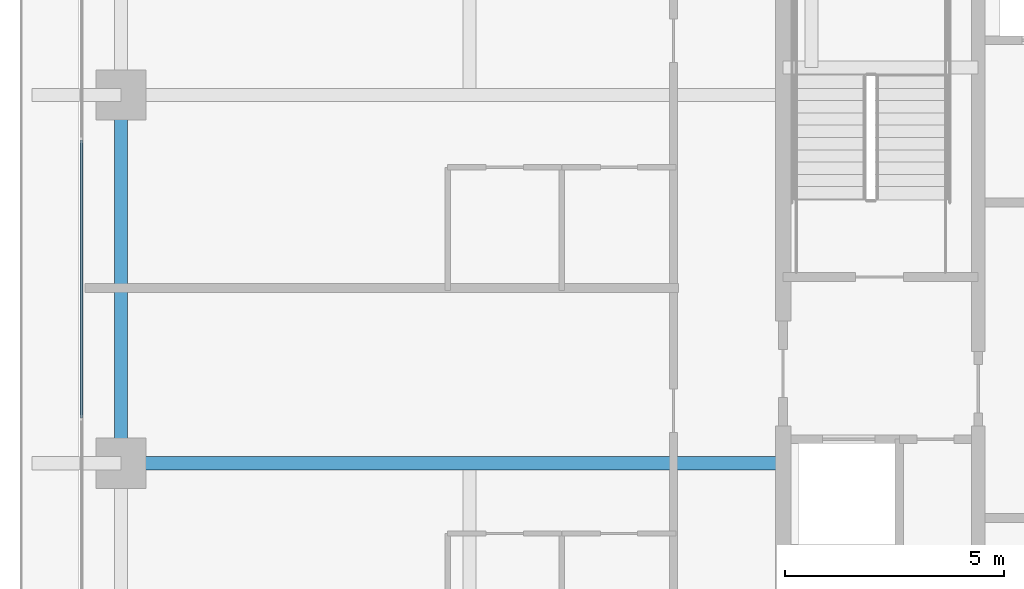
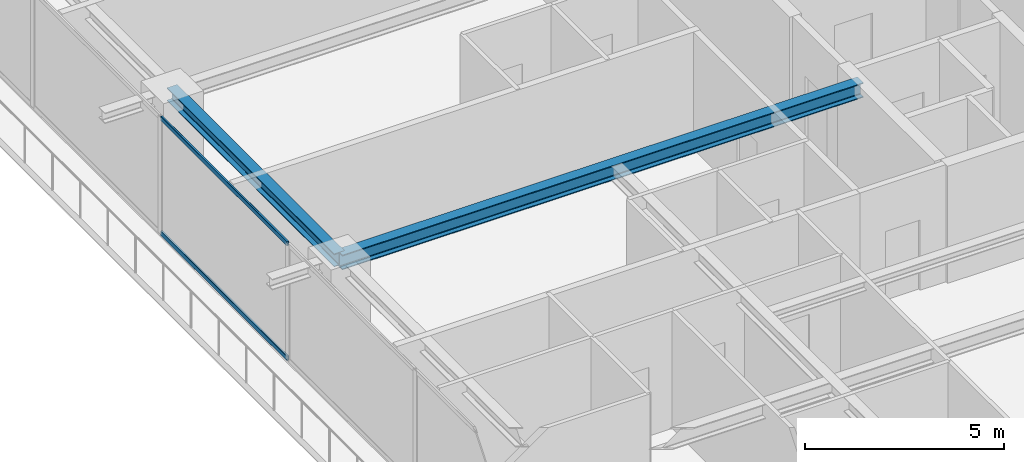
# One storey, part 8 of 37: 2 beams, 2 members, 1 element without a shape of its own.
"""IFC4 building model written with IfcOpenShell, lengths in metres."""

import ifcopenshell
import ifcopenshell.guid

model = None  # the IFC model being written
_history = None  # IfcOwnerHistory: only IFC2X3 demands one
_inside = {}  # id of a spatial element -> (the spatial element, [elements in it])
_under = {}  # id of a project, library or spatial element -> (it, [spatial elements below it])
_declared = {}  # id of a project -> (the project, [libraries it declares])
_typed = {}  # id of a type object -> (the type object, [elements of that type])
_made_of = {}  # id of a material, layer set ... -> (it, [elements and type objects made of it])


def new_model(schema):
    """Start an empty IFC model of exactly this schema.

    Asked for "IFC4X3", IfcOpenShell would pick the latest addendum, in which some entities
    have other attributes; the version numbers below select the first issue.
    IFC2X3 requires an IfcOwnerHistory on every rooted entity: one is made here for all.
    """
    global model, _history
    if schema == "IFC4X3":
        model = ifcopenshell.file(schema_version=(4, 3, 0, 0))
    else:
        model = ifcopenshell.file(schema=schema)
    _inside.clear()
    _under.clear()
    _declared.clear()
    _typed.clear()
    _made_of.clear()
    _history = None
    if model.schema == "IFC2X3":
        org = make("IfcOrganization", Name="unknown")
        user = make(
            "IfcPersonAndOrganization",
            ThePerson=make("IfcPerson", FamilyName="unknown"),
            TheOrganization=org,
        )
        app = make(
            "IfcApplication",
            ApplicationDeveloper=org,
            Version="unknown",
            ApplicationFullName="unknown",
            ApplicationIdentifier="unknown",
        )
        _history = make(
            "IfcOwnerHistory",
            OwningUser=user,
            OwningApplication=app,
            ChangeAction="ADDED",
            CreationDate=0,
        )
    return model


def make(cls, **values):
    """One entity of the class cls with the attributes given. An attribute that is None is left unset."""
    return model.create_entity(
        cls, **{name: value for name, value in values.items() if value is not None}
    )


def rooted(cls, **values):
    """An entity with a GlobalId (a new one), such as an element, a storey or a relation."""
    return make(cls, GlobalId=ifcopenshell.guid.new(), OwnerHistory=_history, **values)


def si_unit(unit_type, name, prefix=None):
    """IfcSIUnit, for example si_unit("LENGTHUNIT", "METRE", prefix="MILLI")."""
    return make("IfcSIUnit", UnitType=unit_type, Prefix=prefix, Name=name)


def assignment(units):
    """IfcUnitAssignment: the units of a project."""
    return None if units is None else make("IfcUnitAssignment", Units=units)


def point(xyz):
    """IfcCartesianPoint."""
    return None if xyz is None else make("IfcCartesianPoint", Coordinates=xyz)


def direction(xyz):
    """IfcDirection."""
    return None if xyz is None else make("IfcDirection", DirectionRatios=xyz)


def frame(location, z_axis=None, x_axis=None):
    """IfcAxis2Placement3D, a coordinate frame: its origin and axes. An axis left out is left unset."""
    return make(
        "IfcAxis2Placement3D",
        Location=point(location),
        Axis=direction(z_axis),
        RefDirection=direction(x_axis),
    )


def frame_2d(location, x_axis=None):
    """IfcAxis2Placement2D, a coordinate frame in the plane: its origin and x axis."""
    return make(
        "IfcAxis2Placement2D", Location=point(location), RefDirection=direction(x_axis)
    )


def origin():
    """The frame at (0, 0, 0) with its axes left unset."""
    return frame((0.0, 0.0, 0.0))


def origin_2d():
    """The frame at (0, 0) in the plane with its x axis left unset."""
    return frame_2d((0.0, 0.0))


def place(relative_to, where):
    """IfcLocalPlacement: puts the frame where relative to a parent placement (None: the world)."""
    return make(
        "IfcLocalPlacement", PlacementRelTo=relative_to, RelativePlacement=where
    )


def context(
    kind, dimensions, precision=None, world=None, true_north=None, identifier=None
):
    """IfcGeometricRepresentationContext, for example the 3D "Model" context."""
    return make(
        "IfcGeometricRepresentationContext",
        ContextIdentifier=identifier,
        ContextType=kind,
        CoordinateSpaceDimension=dimensions,
        Precision=precision,
        WorldCoordinateSystem=world,
        TrueNorth=true_north,
    )


def subcontext(parent, identifier, kind, view, scale=None):
    """IfcGeometricRepresentationSubContext, for example "Body" below "Model"."""
    return make(
        "IfcGeometricRepresentationSubContext",
        ContextIdentifier=identifier,
        ContextType=kind,
        ParentContext=parent,
        TargetScale=scale,
        TargetView=view,
    )


def project(units=None, contexts=None):
    """IfcProject with its units and contexts."""
    return rooted(
        "IfcProject",
        Name="project",
        RepresentationContexts=contexts,
        UnitsInContext=assignment(units),
    )


def spatial(cls, under=None, at=None, **own):
    """A site, building, storey or space (cls), placed at a placement, below another one or the project."""
    s = rooted(cls, ObjectPlacement=at, **own)
    if under is not None:
        _under.setdefault(under.id(), (under, []))[1].append(s)
    return s


def profile(cls, at=None, kind="AREA", **sizes):
    """A parametric profile (cls). Its sizes go by their IFC names, for example OverallWidth=200.0."""
    return make(cls, ProfileType=kind, Position=at, **sizes)


def hollow_rectangle(**sizes):
    """IfcRectangleHollowProfileDef."""
    return profile("IfcRectangleHollowProfileDef", **sizes)


def i_section(**sizes):
    """IfcIShapeProfileDef."""
    return profile("IfcIShapeProfileDef", **sizes)


def extrude(swept, where, along, depth):
    """IfcExtrudedAreaSolid: the profile swept, set in the frame where, extruded along a direction by depth."""
    return make(
        "IfcExtrudedAreaSolid",
        SweptArea=swept,
        Position=where,
        ExtrudedDirection=direction(along),
        Depth=depth,
    )


def shape(context_of_items, identifier, shape_type, items):
    """IfcShapeRepresentation: the items that make up one representation, for example the "Body"."""
    return make(
        "IfcShapeRepresentation",
        ContextOfItems=context_of_items,
        RepresentationIdentifier=identifier,
        RepresentationType=shape_type,
        Items=items,
    )


def source(mapping_origin, context_of_items, identifier, shape_type, items):
    """IfcRepresentationMap: a shape defined once, which mapped items show again and again."""
    return make(
        "IfcRepresentationMap",
        MappingOrigin=mapping_origin,
        MappedRepresentation=shape(context_of_items, identifier, shape_type, items),
    )


def transform(
    local_origin,
    x_axis=None,
    y_axis=None,
    z_axis=None,
    scale=None,
    scale2=None,
    scale3=None,
    uniform=True,
):
    """IfcCartesianTransformationOperator3D, or its non-uniform kind. x_axis, y_axis, z_axis: its Axis1, 2, 3."""
    if uniform:
        return make(
            "IfcCartesianTransformationOperator3D",
            Axis1=direction(x_axis),
            Axis2=direction(y_axis),
            LocalOrigin=point(local_origin),
            Scale=scale,
            Axis3=direction(z_axis),
        )
    return make(
        "IfcCartesianTransformationOperator3DnonUniform",
        Axis1=direction(x_axis),
        Axis2=direction(y_axis),
        LocalOrigin=point(local_origin),
        Scale=scale,
        Axis3=direction(z_axis),
        Scale2=scale2,
        Scale3=scale3,
    )


def mapped(mapping_source, mapping_target):
    """IfcMappedItem: shows the shape of a source again, moved by a transform."""
    return make(
        "IfcMappedItem", MappingSource=mapping_source, MappingTarget=mapping_target
    )


def material(Name=None, Category=None):
    """IfcMaterial."""
    return make("IfcMaterial", Name=Name, Category=Category)


def layer(
    of_material, thickness, ventilated=None, Name=None, Category=None, Priority=None
):
    """IfcMaterialLayer: one layer of a wall or slab, of a material (None: an air gap)."""
    return make(
        "IfcMaterialLayer",
        Material=of_material,
        LayerThickness=thickness,
        IsVentilated=ventilated,
        Name=Name,
        Category=Category,
        Priority=Priority,
    )


def layer_set(layers, Name=None):
    """IfcMaterialLayerSet."""
    return make("IfcMaterialLayerSet", MaterialLayers=layers, LayerSetName=Name)


def material_profile(
    of_material, cross_section, Name=None, Category=None, Priority=None
):
    """IfcMaterialProfile: a cross section and its material."""
    return make(
        "IfcMaterialProfile",
        Name=Name,
        Material=of_material,
        Profile=cross_section,
        Priority=Priority,
        Category=Category,
    )


def profile_set(profiles, Name=None, composite=None):
    """IfcMaterialProfileSet."""
    return make(
        "IfcMaterialProfileSet",
        Name=Name,
        MaterialProfiles=profiles,
        CompositeProfile=composite,
    )


def made_of(thing, what):
    """Note that an element or type object is made of a material, layer set ...; save() writes the relation."""
    if what is not None:
        _made_of.setdefault(what.id(), (what, []))[1].append(thing)
    return thing


def type_object(cls, material=None, **own):
    """A type object (cls), such as IfcWallType, which elements share."""
    return made_of(rooted(cls, **own), material)


def element(
    cls,
    number,
    at=None,
    inside=None,
    cuts=None,
    type_object=None,
    material=None,
    context=None,
    identifier="Body",
    shape_type=None,
    held_by="IfcProductDefinitionShape",
    body=None,
    shapes=None,
    **own,
):
    """One element of the class cls, such as IfcWall. Its Tag is "e" and its number.

    at: its placement. inside: the storey or other place that contains it. cuts: it is an
    opening in that element (IfcRelVoidsElement). A single representation is given by context,
    identifier, shape_type and body (its items); several are given by shapes. held_by: the class
    of the entity that holds the representations. save() writes the other relations.
    """
    e = rooted(cls, Tag="e%d" % number, ObjectPlacement=at, **own)
    if body is not None:
        shapes = [shape(context, identifier, shape_type, body)]
    if shapes is not None:
        e.Representation = make(held_by, Representations=shapes)
    if inside is not None:
        _inside.setdefault(inside.id(), (inside, []))[1].append(e)
    if cuts is not None:
        rooted(
            "IfcRelVoidsElement", RelatingBuildingElement=cuts, RelatedOpeningElement=e
        )
    if type_object is not None:
        _typed.setdefault(type_object.id(), (type_object, []))[1].append(e)
    return made_of(e, material)


def aggregate(whole, parts):
    """IfcRelAggregates: a whole, such as a stair, and the parts it consists of."""
    return rooted("IfcRelAggregates", RelatingObject=whole, RelatedObjects=parts)


def save(model, path):
    """Write the relations noted so far, then the file.

    IfcRelAggregates (storeys below a building ...), IfcRelContainedInSpatialStructure (elements
    in a storey), IfcRelDefinesByType, IfcRelAssociatesMaterial and IfcRelDeclares: one each for
    every whole, place, type object, material and project.
    """
    for whole, parts in _under.values():
        aggregate(whole, parts)
    for where, things in _inside.values():
        rooted(
            "IfcRelContainedInSpatialStructure",
            RelatedElements=things,
            RelatingStructure=where,
        )
    for kind, things in _typed.values():
        rooted("IfcRelDefinesByType", RelatedObjects=things, RelatingType=kind)
    for what, things in _made_of.values():
        rooted("IfcRelAssociatesMaterial", RelatedObjects=things, RelatingMaterial=what)
    for by, libraries in _declared.values():
        rooted("IfcRelDeclares", RelatingContext=by, RelatedDefinitions=libraries)
    model.write(path)


model = new_model("IFC4")

# Units and contexts
model_context = context("Model", 3, precision=1e-05, world=origin(), true_north=direction((0.0, 1.0)))
body_context = subcontext(model_context, "Body", "Model", "MODEL_VIEW")
ifc_project = project(units=[si_unit("LENGTHUNIT", "METRE"), si_unit("AREAUNIT", "SQUARE_METRE"), si_unit("VOLUMEUNIT", "CUBIC_METRE"), si_unit("PLANEANGLEUNIT", "RADIAN"), si_unit("MASSUNIT", "GRAM", prefix="KILO")], contexts=[model_context])

# Site, building, storey
site_placement = place(None, origin())
site = spatial("IfcSite", under=ifc_project, at=site_placement, CompositionType="ELEMENT")
building_placement = place(site_placement, origin())
building = spatial("IfcBuilding", under=site, at=building_placement, Name="Serunith Strait Residences", CompositionType="ELEMENT")
storey_placement = place(building_placement, frame((0.0, 0.0, 275.89990234375)))
storey = spatial("IfcBuildingStorey", under=building, at=storey_placement, Name="L69", CompositionType="ELEMENT", Elevation=275.89990234375)

# Beams
ifc_material_1 = material(Name="Steel S355J2", Category="steel")
ifc_material_profile_1 = material_profile(ifc_material_1, i_section(OverallWidth=0.300048828125, OverallDepth=0.449951171875, WebThickness=0.013916015625, FlangeThickness=0.02587890625, FilletRadius=0.027099609375, at=origin_2d()), Name="HEB 450")
ifc_profile_set_1 = profile_set([ifc_material_profile_1], Name="Steel S355J2")
beam_type_1 = type_object("IfcBeamType", Name="BM-HEB450", PredefinedType="BEAM", material=ifc_profile_set_1)
shared_shape_1 = source(origin(), body_context, "Body", "SweptSolid", [
    extrude(i_section(OverallWidth=0.300048828125, OverallDepth=0.449951171875, WebThickness=0.013916015625, FlangeThickness=0.02587890625, FilletRadius=0.027099609375, at=origin_2d()), origin(), (0.0, 0.0, 1.0), 15.099853515625),
])
beam_1_placement = place(storey_placement, frame((23.39990234375, 21.0, 3.362060546875), z_axis=(-1.0, 0.0, 0.0), x_axis=(0.0, -1.0, 0.0)))
element("IfcBeam", 1, at=beam_1_placement, inside=storey, type_object=beam_type_1, Name="L69 Primary Floor Girder TC-W2", PredefinedType="BEAM", context=body_context, shape_type="MappedRepresentation", body=[
    mapped(shared_shape_1, transform((0.0, 0.0, 0.0), scale=1.0)),
])
ifc_material_profile_2 = material_profile(ifc_material_1, i_section(OverallWidth=0.300048828125, OverallDepth=0.39990234375, WebThickness=0.013427734375, FlangeThickness=0.02392578125, FilletRadius=0.027099609375, at=origin_2d()), Name="HEB 400")
ifc_profile_set_2 = profile_set([ifc_material_profile_2], Name="Steel S355J2")
beam_type_2 = type_object("IfcBeamType", Name="BM-HEB400", PredefinedType="BEAM", material=ifc_profile_set_2)
shared_shape_2 = source(origin(), body_context, "Body", "SweptSolid", [
    extrude(i_section(OverallWidth=0.300048828125, OverallDepth=0.39990234375, WebThickness=0.013427734375, FlangeThickness=0.02392578125, FilletRadius=0.027099609375, at=origin_2d()), origin(), (0.0, 0.0, 1.0), 8.39990234375),
])
beam_2_placement = place(storey_placement, frame((8.300048828125, 29.39990234375, 3.38720703125), z_axis=(0.0, -1.0, 0.0), x_axis=(1.0, 0.0, 0.0)))
element("IfcBeam", 2, at=beam_2_placement, inside=storey, type_object=beam_type_2, Name="L69 Perimeter Ring Beam 14", PredefinedType="BEAM", context=body_context, shape_type="MappedRepresentation", body=[
    mapped(shared_shape_2, transform((0.0, 0.0, 0.0), scale=1.0)),
])

# Curtain wall, members
ifc_material_2 = material(Name="Pale-Champagne Anodised Aluminium", Category="aluminium")
ifc_layer = layer(ifc_material_2, 0.199951171875, Name="Pale-Champagne Anodised Aluminium")
ifc_layer_set = layer_set([ifc_layer], Name="Pale-Champagne Anodised Aluminium")
curtain_wall_type = type_object("IfcCurtainWallType", Name="CW-SYS4", PredefinedType="NOTDEFINED", material=ifc_layer_set)
curtain_wall_placement = place(storey_placement, origin())
curtain_wall = element("IfcCurtainWall", 3, at=curtain_wall_placement, inside=storey, type_object=curtain_wall_type, Name="L69 W Unitised Fritted Curtain Wall", PredefinedType="NOTDEFINED")
ifc_material_profile_3 = material_profile(ifc_material_2, hollow_rectangle(XDim=0.06005859375, YDim=0.139892578125, WallThickness=0.00341796875, InnerFilletRadius=0.00537109375, OuterFilletRadius=0.0087890625, at=origin_2d()), Name="ALU 140x60x3.5")
ifc_profile_set_3 = profile_set([ifc_material_profile_3], Name="Pale-Champagne Anodised Aluminium")
member_type = type_object("IfcMemberType", Name="CW-SYS4-TRAN", PredefinedType="USERDEFINED", material=ifc_profile_set_3)
shared_shape_3 = source(origin(), body_context, "Body", "SweptSolid", [
    extrude(hollow_rectangle(XDim=0.06005859375, YDim=0.139892578125, WallThickness=0.00341796875, InnerFilletRadius=0.00537109375, OuterFilletRadius=0.0087890625, at=origin_2d()), origin(), (0.0, 0.0, 1.0), 6.3349609375),
])
member_1_placement = place(storey_placement, frame((7.39990234375, 28.367431640625, 0.030029296875), z_axis=(0.0, -1.0, 0.0), x_axis=(1.0, 0.0, 0.0)))
member_1 = element("IfcMember", 4, at=member_1_placement, type_object=member_type, Name="CW-4 transom 3.1", ObjectType="TRANSOM", PredefinedType="USERDEFINED", context=body_context, shape_type="MappedRepresentation", body=[
    mapped(shared_shape_3, transform((0.0, 0.0, 0.0), scale=1.0)),
])
member_2_placement = place(storey_placement, frame((7.39990234375, 28.367431640625, 3.545166015625), z_axis=(0.0, -1.0, 0.0), x_axis=(1.0, 0.0, 0.0)))
member_2 = element("IfcMember", 5, at=member_2_placement, type_object=member_type, Name="CW-4 transom 3.2", ObjectType="TRANSOM", PredefinedType="USERDEFINED", context=body_context, shape_type="MappedRepresentation", body=[
    mapped(shared_shape_3, transform((0.0, 0.0, 0.0), scale=1.0)),
])
aggregate(curtain_wall, [member_1, member_2])

save(model, "model.ifc")
